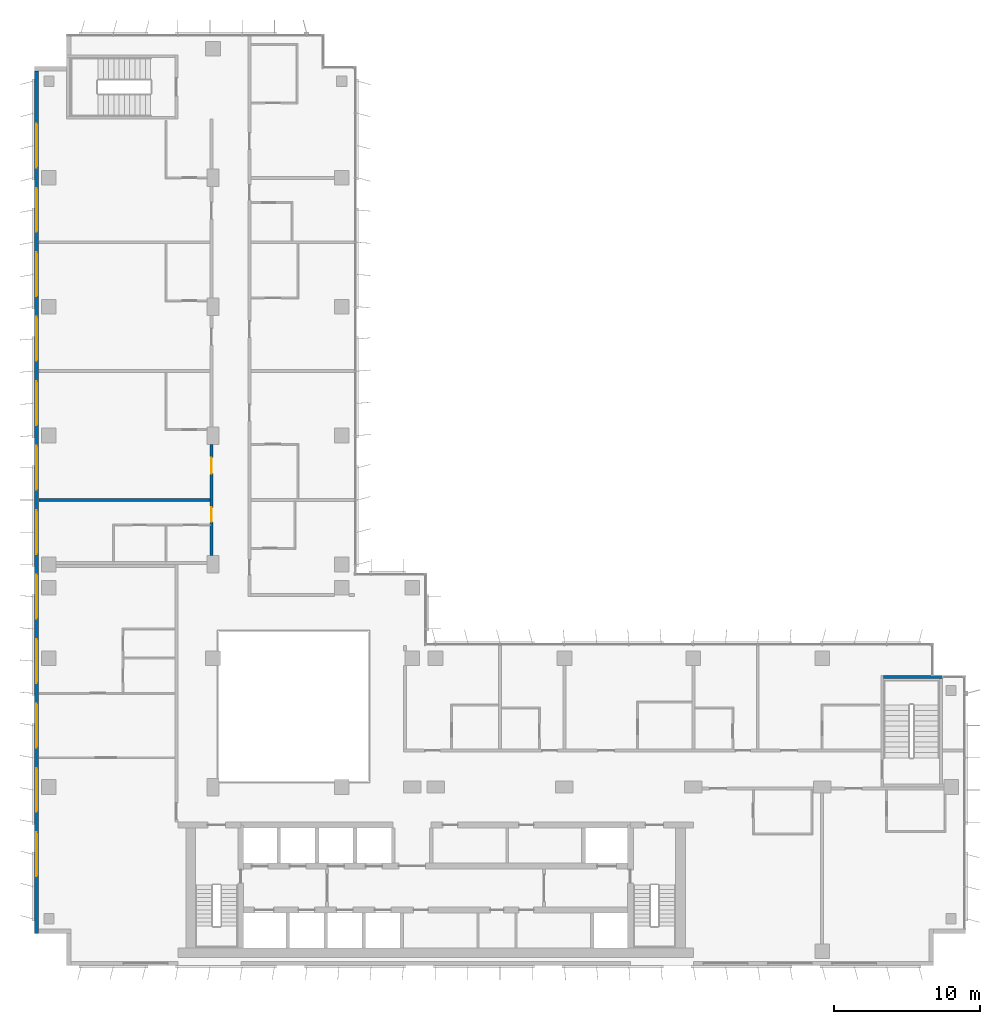
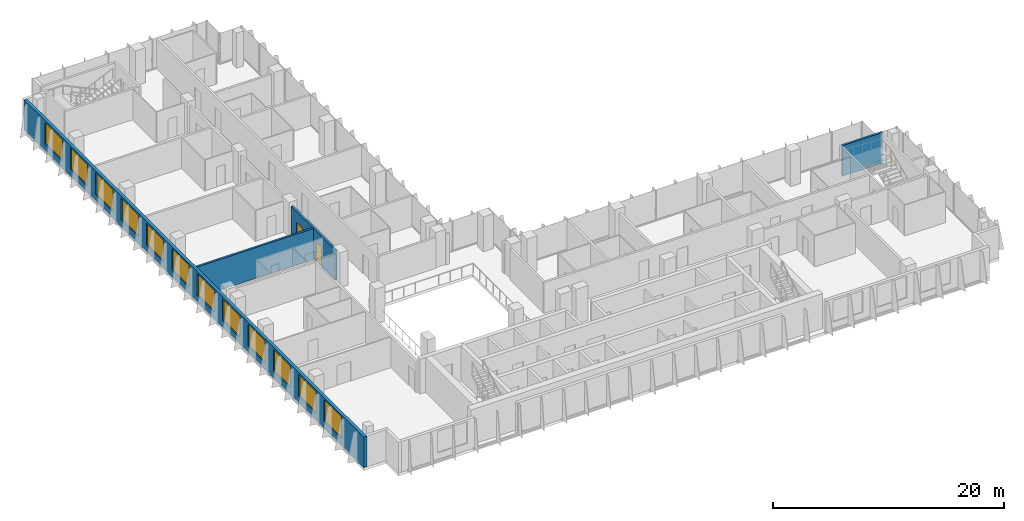
# One storey, part 15 of 20: 12 windows, 4 walls, 2 doors, 14 openings.
"""IFC4 building model written with IfcOpenShell, lengths in metres."""

from ifc_helpers import new_model, si_unit, direction, frame, frame_2d, origin, place, context, subcontext, project, spatial, rectangle, extrude, material, layer, layer_set, type_object, element, fill, save


model = new_model("IFC4")

# Units and contexts
model_context = context("Model", 3, precision=1e-05, world=origin(), true_north=direction((0.0, 1.0)))
body_context = subcontext(model_context, "Body", "Model", "MODEL_VIEW")
ifc_project = project(units=[si_unit("LENGTHUNIT", "METRE"), si_unit("AREAUNIT", "SQUARE_METRE"), si_unit("VOLUMEUNIT", "CUBIC_METRE"), si_unit("PLANEANGLEUNIT", "RADIAN"), si_unit("MASSUNIT", "GRAM", prefix="KILO")], contexts=[model_context])

# Site, building, storey
site_placement = place(None, origin())
site = spatial("IfcSite", under=ifc_project, at=site_placement, CompositionType="ELEMENT")
building_placement = place(site_placement, origin())
building = spatial("IfcBuilding", under=site, at=building_placement, Name="Kemantara Hotel Tower", CompositionType="ELEMENT")
storey_placement = place(building_placement, frame((0.0, 0.0, 190.10009765625)))
storey = spatial("IfcBuildingStorey", under=building, at=storey_placement, Name="L47", CompositionType="ELEMENT", Elevation=190.10009765625)

# Wall, openings, windows
ifc_material_1 = material(Name="Bronze anodised aluminium cladding on insulated steel stud wall", Category="steel")
ifc_layer_1 = layer(ifc_material_1, 0.300048828125)
ifc_layer_set_1 = layer_set([ifc_layer_1], Name="Bronze anodised aluminium cladding on insulated steel stud wall")
wall_type_1 = type_object("IfcWallType", Name="BRONZE METAL-CLAD EXTERNAL WALL 300", PredefinedType="STANDARD", material=ifc_layer_set_1)
wall_1_placement = place(storey_placement, frame((0.14990234375, 61.10009765625, 0.0), z_axis=(0.0, 0.0, 1.0), x_axis=(0.0, -1.0, 0.0)))
wall_1 = element("IfcWall", 1, at=wall_1_placement, inside=storey, type_object=wall_type_1, Name="EXTERNAL WALL L47 T3-R05", PredefinedType="STANDARD", context=body_context, shape_type="SweptSolid", body=[
    extrude(rectangle(XDim=58.900146484375, YDim=0.300048828125, at=frame_2d((29.4501953125, 0.0))), origin(), (0.0, 0.0, 1.0), 3.25),
])
opening_1_placement = place(wall_1_placement, frame((3.60009765625, 0.0, 0.75)))
opening_1 = element("IfcOpeningElement", 2, at=opening_1_placement, cuts=wall_1, Name="Opening W1", PredefinedType="OPENING", context=body_context, shape_type="SweptSolid", body=[
    extrude(rectangle(XDim=3.0, YDim=2.300048828125, at=frame_2d((1.5, 1.14990234375))), frame((0.0, 0.159912109375, 0.0), z_axis=(0.0, -1.0, 0.0), x_axis=(1.0, 0.0, 0.0)), (0.0, 0.0, 1.0), 0.320068359375),
])
opening_2_placement = place(wall_1_placement, frame((8.0, 0.0, 0.75)))
opening_2 = element("IfcOpeningElement", 3, at=opening_2_placement, cuts=wall_1, Name="Opening W1", PredefinedType="OPENING", context=body_context, shape_type="SweptSolid", body=[
    extrude(rectangle(XDim=3.0, YDim=2.300048828125, at=frame_2d((1.5, 1.14990234375))), frame((0.0, 0.159912109375, 0.0), z_axis=(0.0, -1.0, 0.0), x_axis=(1.0, 0.0, 0.0)), (0.0, 0.0, 1.0), 0.320068359375),
])
opening_3_placement = place(wall_1_placement, frame((12.39990234375, 0.0, 0.75)))
opening_3 = element("IfcOpeningElement", 4, at=opening_3_placement, cuts=wall_1, Name="Opening W1", PredefinedType="OPENING", context=body_context, shape_type="SweptSolid", body=[
    extrude(rectangle(XDim=3.0, YDim=2.300048828125, at=frame_2d((1.5, 1.14990234375))), frame((0.0, 0.159912109375, 0.0), z_axis=(0.0, -1.0, 0.0), x_axis=(1.0, 0.0, 0.0)), (0.0, 0.0, 1.0), 0.320068359375),
])
opening_4_placement = place(wall_1_placement, frame((16.800048828125, 0.0, 0.75)))
opening_4 = element("IfcOpeningElement", 5, at=opening_4_placement, cuts=wall_1, Name="Opening W1", PredefinedType="OPENING", context=body_context, shape_type="SweptSolid", body=[
    extrude(rectangle(XDim=3.0, YDim=2.300048828125, at=frame_2d((1.5, 1.14990234375))), frame((0.0, 0.159912109375, 0.0), z_axis=(0.0, -1.0, 0.0), x_axis=(1.0, 0.0, 0.0)), (0.0, 0.0, 1.0), 0.320068359375),
])
opening_5_placement = place(wall_1_placement, frame((21.199951171875, 0.0, 0.75)))
opening_5 = element("IfcOpeningElement", 6, at=opening_5_placement, cuts=wall_1, Name="Opening W1", PredefinedType="OPENING", context=body_context, shape_type="SweptSolid", body=[
    extrude(rectangle(XDim=3.0, YDim=2.300048828125, at=frame_2d((1.5, 1.14990234375))), frame((0.0, 0.159912109375, 0.0), z_axis=(0.0, -1.0, 0.0), x_axis=(1.0, 0.0, 0.0)), (0.0, 0.0, 1.0), 0.320068359375),
])
opening_6_placement = place(wall_1_placement, frame((25.60009765625, 0.0, 0.75)))
opening_6 = element("IfcOpeningElement", 7, at=opening_6_placement, cuts=wall_1, Name="Opening W1", PredefinedType="OPENING", context=body_context, shape_type="SweptSolid", body=[
    extrude(rectangle(XDim=3.0, YDim=2.300048828125, at=frame_2d((1.5, 1.14990234375))), frame((0.0, 0.159912109375, 0.0), z_axis=(0.0, -1.0, 0.0), x_axis=(1.0, 0.0, 0.0)), (0.0, 0.0, 1.0), 0.320068359375),
])
opening_7_placement = place(wall_1_placement, frame((30.0, 0.0, 0.75)))
opening_7 = element("IfcOpeningElement", 8, at=opening_7_placement, cuts=wall_1, Name="Opening W1", PredefinedType="OPENING", context=body_context, shape_type="SweptSolid", body=[
    extrude(rectangle(XDim=3.0, YDim=2.300048828125, at=frame_2d((1.5, 1.14990234375))), frame((0.0, 0.159912109375, 0.0), z_axis=(0.0, -1.0, 0.0), x_axis=(1.0, 0.0, 0.0)), (0.0, 0.0, 1.0), 0.320068359375),
])
opening_8_placement = place(wall_1_placement, frame((34.39990234375, 0.0, 0.75)))
opening_8 = element("IfcOpeningElement", 9, at=opening_8_placement, cuts=wall_1, Name="Opening W1", PredefinedType="OPENING", context=body_context, shape_type="SweptSolid", body=[
    extrude(rectangle(XDim=3.0, YDim=2.300048828125, at=frame_2d((1.5, 1.14990234375))), frame((0.0, 0.159912109375, 0.0), z_axis=(0.0, -1.0, 0.0), x_axis=(1.0, 0.0, 0.0)), (0.0, 0.0, 1.0), 0.320068359375),
])
opening_9_placement = place(wall_1_placement, frame((38.800048828125, 0.0, 0.75)))
opening_9 = element("IfcOpeningElement", 10, at=opening_9_placement, cuts=wall_1, Name="Opening W1", PredefinedType="OPENING", context=body_context, shape_type="SweptSolid", body=[
    extrude(rectangle(XDim=3.0, YDim=2.300048828125, at=frame_2d((1.5, 1.14990234375))), frame((0.0, 0.159912109375, 0.0), z_axis=(0.0, -1.0, 0.0), x_axis=(1.0, 0.0, 0.0)), (0.0, 0.0, 1.0), 0.320068359375),
])
opening_10_placement = place(wall_1_placement, frame((43.199951171875, 0.0, 0.75)))
opening_10 = element("IfcOpeningElement", 11, at=opening_10_placement, cuts=wall_1, Name="Opening W1", PredefinedType="OPENING", context=body_context, shape_type="SweptSolid", body=[
    extrude(rectangle(XDim=3.0, YDim=2.300048828125, at=frame_2d((1.5, 1.14990234375))), frame((0.0, 0.159912109375, 0.0), z_axis=(0.0, -1.0, 0.0), x_axis=(1.0, 0.0, 0.0)), (0.0, 0.0, 1.0), 0.320068359375),
])
opening_11_placement = place(wall_1_placement, frame((47.60009765625, 0.0, 0.75)))
opening_11 = element("IfcOpeningElement", 12, at=opening_11_placement, cuts=wall_1, Name="Opening W1", PredefinedType="OPENING", context=body_context, shape_type="SweptSolid", body=[
    extrude(rectangle(XDim=3.0, YDim=2.300048828125, at=frame_2d((1.5, 1.14990234375))), frame((0.0, 0.159912109375, 0.0), z_axis=(0.0, -1.0, 0.0), x_axis=(1.0, 0.0, 0.0)), (0.0, 0.0, 1.0), 0.320068359375),
])
opening_12_placement = place(wall_1_placement, frame((52.0, 0.0, 0.75)))
opening_12 = element("IfcOpeningElement", 13, at=opening_12_placement, cuts=wall_1, Name="Opening W1", PredefinedType="OPENING", context=body_context, shape_type="SweptSolid", body=[
    extrude(rectangle(XDim=3.0, YDim=2.300048828125, at=frame_2d((1.5, 1.14990234375))), frame((0.0, 0.159912109375, 0.0), z_axis=(0.0, -1.0, 0.0), x_axis=(1.0, 0.0, 0.0)), (0.0, 0.0, 1.0), 0.320068359375),
])
ifc_material_2 = material(Name="Low-E tinted double insulated glass in bronze anodised aluminium frame", Category="aluminium")
window_type = type_object("IfcWindowType", Name="CHICAGO WINDOW, TRIPLE PANEL 3000x2300", PartitioningType="TRIPLE_PANEL_VERTICAL", PredefinedType="WINDOW", material=ifc_material_2)
window_1_placement = place(opening_1_placement, origin())
window_1 = element("IfcWindow", 14, at=window_1_placement, inside=storey, type_object=window_type, Name="CHICAGO WINDOW L47 T3-R05-54", OverallHeight=2.300048828125, OverallWidth=3.0, PartitioningType="SINGLE_PANEL", PredefinedType="WINDOW", context=body_context, shape_type="SweptSolid", body=[
    extrude(rectangle(XDim=3.0, YDim=2.300048828125, at=frame_2d((1.5, 1.14990234375))), frame((0.0, 0.030029296875, 0.0), z_axis=(0.0, -1.0, 0.0), x_axis=(1.0, 0.0, 0.0)), (0.0, 0.0, 1.0), 0.06005859375),
])
fill(opening_1, window_1)
window_2_placement = place(opening_2_placement, origin())
window_2 = element("IfcWindow", 15, at=window_2_placement, inside=storey, type_object=window_type, Name="CHICAGO WINDOW L47 T3-R05-98", OverallHeight=2.300048828125, OverallWidth=3.0, PartitioningType="SINGLE_PANEL", PredefinedType="WINDOW", context=body_context, shape_type="SweptSolid", body=[
    extrude(rectangle(XDim=3.0, YDim=2.300048828125, at=frame_2d((1.5, 1.14990234375))), frame((0.0, 0.030029296875, 0.0), z_axis=(0.0, -1.0, 0.0), x_axis=(1.0, 0.0, 0.0)), (0.0, 0.0, 1.0), 0.06005859375),
])
fill(opening_2, window_2)
window_3_placement = place(opening_3_placement, origin())
window_3 = element("IfcWindow", 16, at=window_3_placement, inside=storey, type_object=window_type, Name="CHICAGO WINDOW L47 T3-R05-142", OverallHeight=2.300048828125, OverallWidth=3.0, PartitioningType="SINGLE_PANEL", PredefinedType="WINDOW", context=body_context, shape_type="SweptSolid", body=[
    extrude(rectangle(XDim=3.0, YDim=2.300048828125, at=frame_2d((1.5, 1.14990234375))), frame((0.0, 0.030029296875, 0.0), z_axis=(0.0, -1.0, 0.0), x_axis=(1.0, 0.0, 0.0)), (0.0, 0.0, 1.0), 0.06005859375),
])
fill(opening_3, window_3)
window_4_placement = place(opening_4_placement, origin())
window_4 = element("IfcWindow", 17, at=window_4_placement, inside=storey, type_object=window_type, Name="CHICAGO WINDOW L47 T3-R05-186", OverallHeight=2.300048828125, OverallWidth=3.0, PartitioningType="SINGLE_PANEL", PredefinedType="WINDOW", context=body_context, shape_type="SweptSolid", body=[
    extrude(rectangle(XDim=3.0, YDim=2.300048828125, at=frame_2d((1.5, 1.14990234375))), frame((0.0, 0.030029296875, 0.0), z_axis=(0.0, -1.0, 0.0), x_axis=(1.0, 0.0, 0.0)), (0.0, 0.0, 1.0), 0.06005859375),
])
fill(opening_4, window_4)
window_5_placement = place(opening_5_placement, origin())
window_5 = element("IfcWindow", 18, at=window_5_placement, inside=storey, type_object=window_type, Name="CHICAGO WINDOW L47 T3-R05-230", OverallHeight=2.300048828125, OverallWidth=3.0, PartitioningType="SINGLE_PANEL", PredefinedType="WINDOW", context=body_context, shape_type="SweptSolid", body=[
    extrude(rectangle(XDim=3.0, YDim=2.300048828125, at=frame_2d((1.5, 1.14990234375))), frame((0.0, 0.030029296875, 0.0), z_axis=(0.0, -1.0, 0.0), x_axis=(1.0, 0.0, 0.0)), (0.0, 0.0, 1.0), 0.06005859375),
])
fill(opening_5, window_5)
window_6_placement = place(opening_6_placement, origin())
window_6 = element("IfcWindow", 19, at=window_6_placement, inside=storey, type_object=window_type, Name="CHICAGO WINDOW L47 T3-R05-274", OverallHeight=2.300048828125, OverallWidth=3.0, PartitioningType="SINGLE_PANEL", PredefinedType="WINDOW", context=body_context, shape_type="SweptSolid", body=[
    extrude(rectangle(XDim=3.0, YDim=2.300048828125, at=frame_2d((1.5, 1.14990234375))), frame((0.0, 0.030029296875, 0.0), z_axis=(0.0, -1.0, 0.0), x_axis=(1.0, 0.0, 0.0)), (0.0, 0.0, 1.0), 0.06005859375),
])
fill(opening_6, window_6)
window_7_placement = place(opening_7_placement, origin())
window_7 = element("IfcWindow", 20, at=window_7_placement, inside=storey, type_object=window_type, Name="CHICAGO WINDOW L47 T3-R05-318", OverallHeight=2.300048828125, OverallWidth=3.0, PartitioningType="SINGLE_PANEL", PredefinedType="WINDOW", context=body_context, shape_type="SweptSolid", body=[
    extrude(rectangle(XDim=3.0, YDim=2.300048828125, at=frame_2d((1.5, 1.14990234375))), frame((0.0, 0.030029296875, 0.0), z_axis=(0.0, -1.0, 0.0), x_axis=(1.0, 0.0, 0.0)), (0.0, 0.0, 1.0), 0.06005859375),
])
fill(opening_7, window_7)
window_8_placement = place(opening_8_placement, origin())
window_8 = element("IfcWindow", 21, at=window_8_placement, inside=storey, type_object=window_type, Name="CHICAGO WINDOW L47 T3-R05-362", OverallHeight=2.300048828125, OverallWidth=3.0, PartitioningType="SINGLE_PANEL", PredefinedType="WINDOW", context=body_context, shape_type="SweptSolid", body=[
    extrude(rectangle(XDim=3.0, YDim=2.300048828125, at=frame_2d((1.5, 1.14990234375))), frame((0.0, 0.030029296875, 0.0), z_axis=(0.0, -1.0, 0.0), x_axis=(1.0, 0.0, 0.0)), (0.0, 0.0, 1.0), 0.06005859375),
])
fill(opening_8, window_8)
window_9_placement = place(opening_9_placement, origin())
window_9 = element("IfcWindow", 22, at=window_9_placement, inside=storey, type_object=window_type, Name="CHICAGO WINDOW L47 T3-R05-406", OverallHeight=2.300048828125, OverallWidth=3.0, PartitioningType="SINGLE_PANEL", PredefinedType="WINDOW", context=body_context, shape_type="SweptSolid", body=[
    extrude(rectangle(XDim=3.0, YDim=2.300048828125, at=frame_2d((1.5, 1.14990234375))), frame((0.0, 0.030029296875, 0.0), z_axis=(0.0, -1.0, 0.0), x_axis=(1.0, 0.0, 0.0)), (0.0, 0.0, 1.0), 0.06005859375),
])
fill(opening_9, window_9)
window_10_placement = place(opening_10_placement, origin())
window_10 = element("IfcWindow", 23, at=window_10_placement, inside=storey, type_object=window_type, Name="CHICAGO WINDOW L47 T3-R05-450", OverallHeight=2.300048828125, OverallWidth=3.0, PartitioningType="SINGLE_PANEL", PredefinedType="WINDOW", context=body_context, shape_type="SweptSolid", body=[
    extrude(rectangle(XDim=3.0, YDim=2.300048828125, at=frame_2d((1.5, 1.14990234375))), frame((0.0, 0.030029296875, 0.0), z_axis=(0.0, -1.0, 0.0), x_axis=(1.0, 0.0, 0.0)), (0.0, 0.0, 1.0), 0.06005859375),
])
fill(opening_10, window_10)
window_11_placement = place(opening_11_placement, origin())
window_11 = element("IfcWindow", 24, at=window_11_placement, inside=storey, type_object=window_type, Name="CHICAGO WINDOW L47 T3-R05-494", OverallHeight=2.300048828125, OverallWidth=3.0, PartitioningType="SINGLE_PANEL", PredefinedType="WINDOW", context=body_context, shape_type="SweptSolid", body=[
    extrude(rectangle(XDim=3.0, YDim=2.300048828125, at=frame_2d((1.5, 1.14990234375))), frame((0.0, 0.030029296875, 0.0), z_axis=(0.0, -1.0, 0.0), x_axis=(1.0, 0.0, 0.0)), (0.0, 0.0, 1.0), 0.06005859375),
])
fill(opening_11, window_11)
window_12_placement = place(opening_12_placement, origin())
window_12 = element("IfcWindow", 25, at=window_12_placement, inside=storey, type_object=window_type, Name="CHICAGO WINDOW L47 T3-R05-538", OverallHeight=2.300048828125, OverallWidth=3.0, PartitioningType="SINGLE_PANEL", PredefinedType="WINDOW", context=body_context, shape_type="SweptSolid", body=[
    extrude(rectangle(XDim=3.0, YDim=2.300048828125, at=frame_2d((1.5, 1.14990234375))), frame((0.0, 0.030029296875, 0.0), z_axis=(0.0, -1.0, 0.0), x_axis=(1.0, 0.0, 0.0)), (0.0, 0.0, 1.0), 0.06005859375),
])
fill(opening_12, window_12)

# Wall, openings, doors
ifc_material_3 = material(Name="Gypsum board partition, steel studs and mineral wool, 200 mm", Category="steel")
ifc_layer_2 = layer(ifc_material_3, 0.199951171875)
ifc_layer_set_2 = layer_set([ifc_layer_2], Name="Gypsum board partition, steel studs and mineral wool, 200 mm")
wall_type_2 = type_object("IfcWallType", Name="CORRIDOR WALL 200", PredefinedType="PARTITIONING", material=ifc_layer_set_2)
wall_2_placement = place(storey_placement, frame((12.10009765625, 28.0, 0.0), z_axis=(0.0, 0.0, 1.0), x_axis=(0.0, 1.0, 0.0)))
wall_2 = element("IfcWall", 26, at=wall_2_placement, inside=storey, type_object=wall_type_2, Name="CORRIDOR WALL 200 014", PredefinedType="PARTITIONING", context=body_context, shape_type="SweptSolid", body=[
    extrude(rectangle(XDim=7.599853515625, YDim=0.199951171875, at=frame_2d((3.7998046875, 0.0))), origin(), (0.0, 0.0, 1.0), 3.25),
])
opening_13_placement = place(wall_2_placement, frame((2.2998046875, 0.0, 0.0)))
opening_13 = element("IfcOpeningElement", 27, at=opening_13_placement, cuts=wall_2, Name="Opening F22-020", PredefinedType="OPENING", context=body_context, shape_type="SweptSolid", body=[
    extrude(rectangle(XDim=1.0, YDim=2.10009765625, at=frame_2d((0.5, 1.050048828125))), frame((0.0, 0.10986328125, 0.0), z_axis=(0.0, -1.0, 0.0), x_axis=(1.0, 0.0, 0.0)), (0.0, 0.0, 1.0), 0.219970703125),
])
opening_14_placement = place(wall_2_placement, frame((5.599853515625, 0.0, 0.0)))
opening_14 = element("IfcOpeningElement", 28, at=opening_14_placement, cuts=wall_2, Name="Opening F22-023", PredefinedType="OPENING", context=body_context, shape_type="SweptSolid", body=[
    extrude(rectangle(XDim=1.10009765625, YDim=2.10009765625, at=frame_2d((0.550048828125, 1.050048828125))), frame((0.0, 0.10986328125, 0.0), z_axis=(0.0, -1.0, 0.0), x_axis=(1.0, 0.0, 0.0)), (0.0, 0.0, 1.0), 0.219970703125),
])
ifc_material_4 = material(Name="Hardwood veneer door leaf with steel frame", Category="steel")
door_type_1 = type_object("IfcDoorType", Name="GUEST ROOM DOOR 1000 X 2100 FD30S", OperationType="NOTDEFINED", PredefinedType="DOOR", material=ifc_material_4)
door_1_placement = place(opening_13_placement, origin())
door_1 = element("IfcDoor", 29, at=door_1_placement, inside=storey, type_object=door_type_1, Name="GUEST ROOM DOOR F22-020", OperationType="SINGLE_SWING_RIGHT", OverallHeight=2.10009765625, OverallWidth=1.0, PredefinedType="DOOR", context=body_context, shape_type="SweptSolid", body=[
    extrude(rectangle(XDim=1.0, YDim=2.10009765625, at=frame_2d((0.5, 1.050048828125))), frame((0.0, 0.02490234375, 0.0), z_axis=(0.0, -1.0, 0.0), x_axis=(1.0, 0.0, 0.0)), (0.0, 0.0, 1.0), 0.050048828125),
])
fill(opening_13, door_1)
door_type_2 = type_object("IfcDoorType", Name="SUITE ENTRANCE DOOR 1100 X 2100 FD30S", OperationType="NOTDEFINED", PredefinedType="DOOR", material=ifc_material_4)
door_2_placement = place(opening_14_placement, origin())
door_2 = element("IfcDoor", 30, at=door_2_placement, inside=storey, type_object=door_type_2, Name="SUITE ENTRANCE DOOR F22-023", OperationType="SINGLE_SWING_LEFT", OverallHeight=2.10009765625, OverallWidth=1.10009765625, PredefinedType="DOOR", context=body_context, shape_type="SweptSolid", body=[
    extrude(rectangle(XDim=1.10009765625, YDim=2.10009765625, at=frame_2d((0.550048828125, 1.050048828125))), frame((0.0, 0.02490234375, 0.0), z_axis=(0.0, -1.0, 0.0), x_axis=(1.0, 0.0, 0.0)), (0.0, 0.0, 1.0), 0.050048828125),
])
fill(opening_14, door_2)

# Walls
ifc_material_5 = material(Name="Concrete fc 40 MPa", Category="concrete")
ifc_layer_3 = layer(ifc_material_5, 0.199951171875)
ifc_layer_set_3 = layer_set([ifc_layer_3], Name="Concrete fc 40 MPa")
wall_type_3 = type_object("IfcWallType", Name="Concrete stair wall 200 mm", PredefinedType="SHEAR", material=ifc_layer_set_3)
wall_3_placement = place(storey_placement, frame((58.0, 19.699951171875, 0.0), z_axis=(0.0, 0.0, 1.0), x_axis=(1.0, 0.0, 0.0)))
element("IfcWall", 31, at=wall_3_placement, inside=storey, type_object=wall_type_3, Name="Stair ST3 enclosure wall N", PredefinedType="SHEAR", context=body_context, shape_type="SweptSolid", body=[
    extrude(rectangle(XDim=4.0, YDim=0.199951171875, at=frame_2d((2.0, 0.0))), origin(), (0.0, 0.0, 1.0), 3.25),
])
ifc_layer_4 = layer(ifc_material_3, 0.199951171875)
ifc_layer_set_4 = layer_set([ifc_layer_4], Name="Gypsum board partition, steel studs and mineral wool, 200 mm")
wall_type_4 = type_object("IfcWallType", Name="GUEST ROOM PARTY WALL 200", PredefinedType="PARTITIONING", material=ifc_layer_set_4)
wall_4_placement = place(storey_placement, frame((0.31005859375, 31.800048828125, 0.0), z_axis=(0.0, 0.0, 1.0), x_axis=(1.0, 0.0, 0.0)))
element("IfcWall", 32, at=wall_4_placement, inside=storey, type_object=wall_type_4, Name="GUEST ROOM PARTY WALL 200 019", PredefinedType="PARTITIONING", context=body_context, shape_type="SweptSolid", body=[
    extrude(rectangle(XDim=11.68994140625, YDim=0.199951171875, at=frame_2d((5.844970703125, 0.0))), origin(), (0.0, 0.0, 1.0), 3.25),
])

save(model, "model.ifc")
